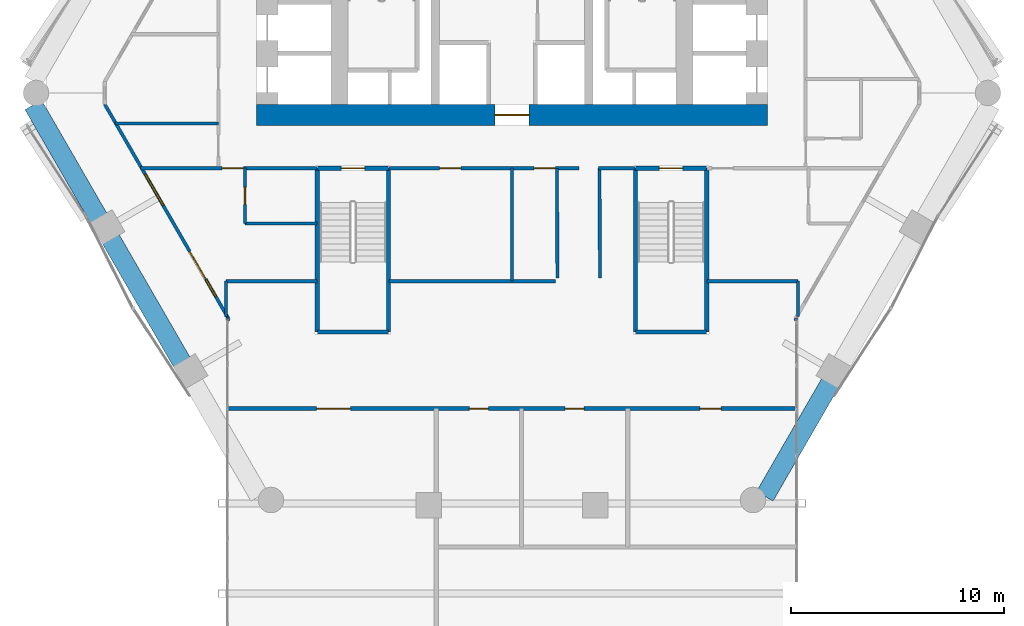
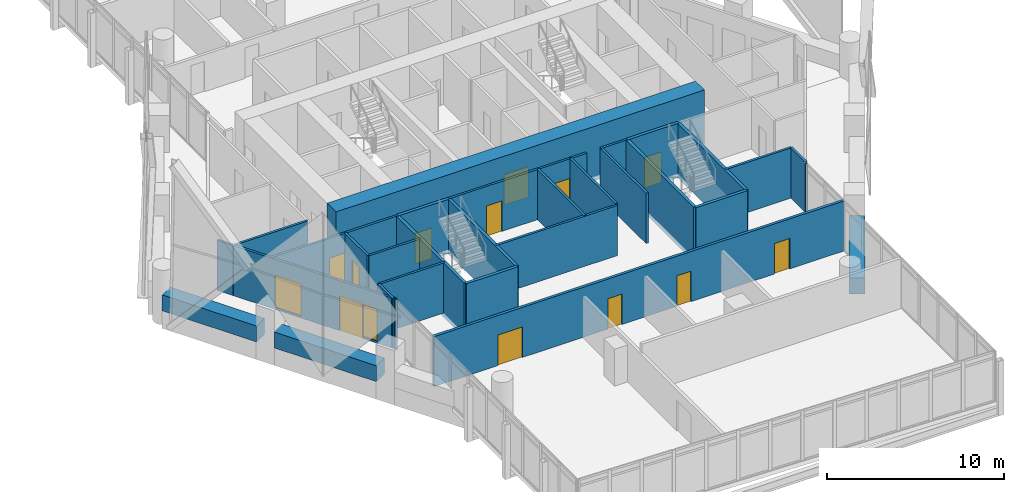
# One storey, part 29 of 38: 30 walls, 12 doors, 2 windows, 14 openings.
"""IFC4 building model written with IfcOpenShell, lengths in metres."""

from ifc_helpers import new_model, si_unit, direction, frame, frame_2d, origin, place, context, subcontext, project, spatial, rectangle, extrude, material, layer, layer_set, type_object, element, fill, save


model = new_model("IFC4")

# Units and contexts
model_context = context("Model", 3, precision=1e-05, world=origin(), true_north=direction((0.0, 1.0)))
body_context = subcontext(model_context, "Body", "Model", "MODEL_VIEW")
ifc_project = project(units=[si_unit("LENGTHUNIT", "METRE"), si_unit("AREAUNIT", "SQUARE_METRE"), si_unit("VOLUMEUNIT", "CUBIC_METRE"), si_unit("PLANEANGLEUNIT", "RADIAN"), si_unit("MASSUNIT", "GRAM", prefix="KILO")], contexts=[model_context])

# Site, building, storey
site_placement = place(None, origin())
site = spatial("IfcSite", under=ifc_project, at=site_placement, CompositionType="ELEMENT")
building_placement = place(site_placement, origin())
building = spatial("IfcBuilding", under=site, at=building_placement, Name="Ostrander Bayou Hotel Tower", CompositionType="ELEMENT")
storey_placement = place(building_placement, frame((0.0, 0.0, 96.75)))
storey = spatial("IfcBuildingStorey", under=building, at=storey_placement, Name="L24", CompositionType="ELEMENT", Elevation=96.75)

# Wall, opening, door
ifc_material_1 = material(Name="Concrete f'c 70 MPa", Category="concrete")
ifc_layer_1 = layer(ifc_material_1, 1.0)
ifc_layer_set_1 = layer_set([ifc_layer_1], Name="CW4 core wall 1000 mm f'c 70 MPa")
wall_type_1 = type_object("IfcWallType", Name="CW4 core wall 1000 mm f'c 70 MPa", PredefinedType="SHEAR", material=ifc_layer_set_1)
wall_1_placement = place(storey_placement, frame((-12.0, -1.199951171875, -0.300048828125), z_axis=(0.0, 0.0, 1.0), x_axis=(1.0, 0.0, 0.0)))
wall_1 = element("IfcWall", 1, at=wall_1_placement, inside=storey, type_object=wall_type_1, Name="CW4 L24 S", PredefinedType="SHEAR", context=body_context, shape_type="SweptSolid", body=[
    extrude(rectangle(XDim=24.0, YDim=1.0, at=frame_2d((12.0, 0.0))), origin(), (0.0, 0.0, 1.0), 3.75),
])
opening_1_placement = place(wall_1_placement, frame((11.199951171875, 0.0, 0.0)))
opening_1 = element("IfcOpeningElement", 2, at=opening_1_placement, cuts=wall_1, Name="Opening T23-001", PredefinedType="OPENING", context=body_context, shape_type="SweptSolid", body=[
    extrude(rectangle(XDim=1.60009765625, YDim=2.10009765625, at=frame_2d((0.800048828125, 1.050048828125))), frame((0.0, 0.5, 0.0), z_axis=(0.0, -1.0, 0.0), x_axis=(1.0, 0.0, 0.0)), (0.0, 0.0, 1.0), 1.0),
])
ifc_material_2 = material(Name="Timber door leaf", Category="wood")
door_type_1 = type_object("IfcDoorType", Name="D13 double door 1600 x 2100 mm, 1 hour", OperationType="SINGLE_SWING_LEFT", PredefinedType="DOOR", material=ifc_material_2)
door_1_placement = place(opening_1_placement, origin())
door_1 = element("IfcDoor", 3, at=door_1_placement, inside=storey, type_object=door_type_1, Name="dr:L24:001", OperationType="DOUBLE_DOOR_SINGLE_SWING", OverallHeight=2.10009765625, OverallWidth=1.60009765625, PredefinedType="DOOR", context=body_context, shape_type="SweptSolid", body=[
    extrude(rectangle(XDim=1.60009765625, YDim=2.10009765625, at=frame_2d((0.800048828125, 1.050048828125))), frame((0.0, 0.02490234375, 0.0), z_axis=(0.0, -1.0, 0.0), x_axis=(1.0, 0.0, 0.0)), (0.0, 0.0, 1.0), 0.050048828125),
])
fill(opening_1, door_1)

# Wall, openings, door, windows
ifc_material_3 = material(Name="Aluminium framed insulated wall", Category="aluminium")
ifc_layer_2 = layer(ifc_material_3, 0.14990234375)
ifc_layer_set_2 = layer_set([ifc_layer_2], Name="GW1 glass-line wall 150 mm")
wall_type_2 = type_object("IfcWallType", Name="GW1 glass-line wall 150 mm", PredefinedType="SOLIDWALL", material=ifc_layer_set_2)
wall_2_placement = place(storey_placement, frame((-19.141357421875, -0.6962890625, 0.0), z_axis=(0.0, 0.0, 1.0), x_axis=(0.500002662854, -0.86602386638, 0.0)))
wall_2 = element("IfcWall", 4, at=wall_2_placement, inside=storey, type_object=wall_type_2, Name="GW1 L24 SW 1", PredefinedType="SOLIDWALL", context=body_context, shape_type="SweptSolid", body=[
    extrude(rectangle(XDim=11.61474609375, YDim=0.14990234375, at=frame_2d((5.807373046875, 0.0))), origin(), (0.0, 0.0, 1.0), 3.449951171875),
])
opening_2_placement = place(wall_2_placement, frame((3.79248046875, 0.0, 0.14990234375)))
opening_2 = element("IfcOpeningElement", 5, at=opening_2_placement, cuts=wall_2, Name="Opening W8", PredefinedType="OPENING", context=body_context, shape_type="SweptSolid", body=[
    extrude(rectangle(XDim=1.699951171875, YDim=2.199951171875, at=frame_2d((0.85009765625, 1.10009765625))), frame((0.0, 0.074951171875, 0.0), z_axis=(0.0, -1.0, 0.0), x_axis=(1.0, 0.0, 0.0)), (0.0, 0.0, 1.0), 0.14990234375),
])
opening_3_placement = place(wall_2_placement, frame((9.530517578125, 0.0, 0.14990234375)))
opening_3 = element("IfcOpeningElement", 6, at=opening_3_placement, cuts=wall_2, Name="Opening W16", PredefinedType="OPENING", context=body_context, shape_type="SweptSolid", body=[
    extrude(rectangle(XDim=0.89990234375, YDim=2.199951171875, at=frame_2d((0.449951171875, 1.10009765625))), frame((0.0, 0.074951171875, 0.0), z_axis=(0.0, -1.0, 0.0), x_axis=(1.0, 0.0, 0.0)), (0.0, 0.0, 1.0), 0.14990234375),
])
opening_4_placement = place(wall_2_placement, frame((7.98046875, 0.0, 0.0)))
opening_4 = element("IfcOpeningElement", 7, at=opening_4_placement, cuts=wall_2, Name="Opening T23-800", PredefinedType="OPENING", context=body_context, shape_type="SweptSolid", body=[
    extrude(rectangle(XDim=1.5, YDim=2.39990234375, at=frame_2d((0.75, 1.199951171875))), frame((0.0, 0.074951171875, 0.0), z_axis=(0.0, -1.0, 0.0), x_axis=(1.0, 0.0, 0.0)), (0.0, 0.0, 1.0), 0.14990234375),
])
ifc_material_4 = material(Name="Aluminium and clear glass", Category="aluminium")
door_type_2 = type_object("IfcDoorType", Name="SD2 sliding glass door 1500 mm, zone 2", OperationType="SLIDING_TO_LEFT", PredefinedType="DOOR", material=ifc_material_4)
door_2_placement = place(opening_4_placement, origin())
door_2 = element("IfcDoor", 8, at=door_2_placement, inside=storey, type_object=door_type_2, Name="SD2 L24 SW 2", OperationType="SLIDING_TO_RIGHT", OverallHeight=2.39990234375, OverallWidth=1.5, PredefinedType="DOOR", context=body_context, shape_type="SweptSolid", body=[
    extrude(rectangle(XDim=1.5, YDim=2.39990234375, at=frame_2d((0.75, 1.199951171875))), frame((0.0, 0.02490234375, 0.0), z_axis=(0.0, -1.0, 0.0), x_axis=(1.0, 0.0, 0.0)), (0.0, 0.0, 1.0), 0.050048828125),
])
fill(opening_4, door_2)
ifc_material_5 = material(Name="Aluminium and clear glass", Category="aluminium")
window_type_1 = type_object("IfcWindowType", Name="W16 window 900 mm, zone 2", PartitioningType="SINGLE_PANEL", PredefinedType="WINDOW", material=ifc_material_5)
window_1_placement = place(opening_3_placement, origin())
window_1 = element("IfcWindow", 9, at=window_1_placement, inside=storey, type_object=window_type_1, Name="W16 L24 SW 2", OverallHeight=2.199951171875, OverallWidth=0.89990234375, PartitioningType="SINGLE_PANEL", PredefinedType="WINDOW", context=body_context, shape_type="SweptSolid", body=[
    extrude(rectangle(XDim=0.89990234375, YDim=2.199951171875, at=frame_2d((0.449951171875, 1.10009765625))), frame((0.0, 0.030029296875, 0.0), z_axis=(0.0, -1.0, 0.0), x_axis=(1.0, 0.0, 0.0)), (0.0, 0.0, 1.0), 0.06005859375),
])
fill(opening_3, window_1)
ifc_material_6 = material(Name="Aluminium and clear glass", Category="aluminium")
window_type_2 = type_object("IfcWindowType", Name="W8 fixed window 1700 mm, bar storeys, zone 2", PartitioningType="SINGLE_PANEL", PredefinedType="WINDOW", material=ifc_material_6)
window_2_placement = place(opening_2_placement, origin())
window_2 = element("IfcWindow", 10, at=window_2_placement, inside=storey, type_object=window_type_2, Name="W8 L24 SW 1", OverallHeight=2.199951171875, OverallWidth=1.699951171875, PartitioningType="SINGLE_PANEL", PredefinedType="WINDOW", context=body_context, shape_type="SweptSolid", body=[
    extrude(rectangle(XDim=1.699951171875, YDim=2.199951171875, at=frame_2d((0.85009765625, 1.10009765625))), frame((0.0, 0.030029296875, 0.0), z_axis=(0.0, -1.0, 0.0), x_axis=(1.0, 0.0, 0.0)), (0.0, 0.0, 1.0), 0.06005859375),
])
fill(opening_2, window_2)

# Walls
for number, where, z_axis, x_axis, name in (
    (11, (-13.333984375, -10.7548828125, 0.0), (0.0, 0.0, 1.0), (-0.337751931921, -0.941235163221, 0.0), "GW1 L24 bar joint 2"),
    (12, (13.333984375, -10.7548828125, 0.0), (0.0, 0.0, 1.0), (0.337751931921, -0.941235163221, 0.0), "GW1 L24 bar joint 3"),
):
    element("IfcWall", number, at=place(storey_placement, frame(where, z_axis=z_axis, x_axis=x_axis)), inside=storey, type_object=wall_type_2, Name=name, PredefinedType="SOLIDWALL", context=body_context, shape_type="SweptSolid", body=[
        extrude(rectangle(XDim=0.098388671875, YDim=0.14990234375, at=frame_2d((0.04931640625, 0.0))), origin(), (0.0, 0.0, 1.0), 3.449951171875),
    ])
ifc_material_7 = material(Name="Limestone masonry", Category="masonry")
ifc_layer_3 = layer(ifc_material_7, 0.89990234375)
ifc_layer_set_3 = layer_set([ifc_layer_3], Name="PA2 limestone parapet 900 mm")
wall_type_3 = type_object("IfcWallType", Name="PA2 limestone parapet 900 mm", PredefinedType="PARAPET", material=ifc_layer_set_3)
wall_3_placement = place(storey_placement, frame((-22.5009765625, -0.727294921875, 0.0), z_axis=(0.0, 0.0, 1.0), x_axis=(0.500006801911, -0.866021476663, 0.0)))
element("IfcWall", 13, at=wall_3_placement, inside=storey, type_object=wall_type_3, Name="PA2 L24 SW-1", PredefinedType="PARAPET", context=body_context, shape_type="SweptSolid", body=[
    extrude(rectangle(XDim=6.14404296875, YDim=0.89990234375, at=frame_2d((3.072021484375, 0.0))), origin(), (0.0, 0.0, 1.0), 1.10009765625),
])
wall_4_placement = place(storey_placement, frame((-18.85888671875, -7.035400390625, 0.0), z_axis=(0.0, 0.0, 1.0), x_axis=(0.499999023957, -0.866025967302, 0.0)))
element("IfcWall", 14, at=wall_4_placement, inside=storey, type_object=wall_type_3, Name="PA2 L24 SW-2", PredefinedType="PARAPET", context=body_context, shape_type="SweptSolid", body=[
    extrude(rectangle(XDim=6.67333984375, YDim=0.89990234375, at=frame_2d((3.336669921875, 0.0))), origin(), (0.0, 0.0, 1.0), 1.10009765625),
])
wall_5_placement = place(storey_placement, frame((11.88037109375, -19.122802734375, 0.0), z_axis=(0.0, 0.0, 1.0), x_axis=(0.499976998774, 0.866038683141, 0.0)))
element("IfcWall", 15, at=wall_5_placement, inside=storey, type_object=wall_type_3, Name="PA2 L24 SE-1", PredefinedType="PARAPET", context=body_context, shape_type="SweptSolid", body=[
    extrude(rectangle(XDim=6.143798828125, YDim=0.89990234375, at=frame_2d((3.07177734375, 0.0))), origin(), (0.0, 0.0, 1.0), 1.10009765625),
])

# Wall, openings, doors
ifc_material_8 = material(Name="Gypsum board partition", Category="finish")
ifc_layer_4 = layer(ifc_material_8, 0.175048828125)
ifc_layer_set_4 = layer_set([ifc_layer_4], Name="PT4 corridor wall 175 mm, 1 hour")
wall_type_4 = type_object("IfcWallType", Name="PT4 corridor wall 175 mm, 1 hour", PredefinedType="PARTITIONING", material=ifc_layer_set_4)
wall_6_placement = place(storey_placement, frame((-13.34814453125, -15.0, 0.0), z_axis=(0.0, 0.0, 1.0), x_axis=(1.0, 0.0, 0.0)))
wall_6 = element("IfcWall", 16, at=wall_6_placement, inside=storey, type_object=wall_type_4, Name="sw:L24:500", PredefinedType="PARTITIONING", context=body_context, shape_type="SweptSolid", body=[
    extrude(rectangle(XDim=26.6962890625, YDim=0.175048828125, at=frame_2d((13.34814453125, 0.0))), origin(), (0.0, 0.0, 1.0), 3.449951171875),
])
opening_5_placement = place(wall_6_placement, frame((11.34033203125, 0.0, 0.0)))
opening_5 = element("IfcOpeningElement", 17, at=opening_5_placement, cuts=wall_6, Name="Opening T23-1200", PredefinedType="OPENING", context=body_context, shape_type="SweptSolid", body=[
    extrude(rectangle(XDim=0.89990234375, YDim=2.10009765625, at=frame_2d((0.449951171875, 1.050048828125))), frame((0.0, 0.08740234375, 0.0), z_axis=(0.0, -1.0, 0.0), x_axis=(1.0, 0.0, 0.0)), (0.0, 0.0, 1.0), 0.175048828125),
])
opening_6_placement = place(wall_6_placement, frame((15.84033203125, 0.0, 0.0)))
opening_6 = element("IfcOpeningElement", 18, at=opening_6_placement, cuts=wall_6, Name="Opening T23-1201", PredefinedType="OPENING", context=body_context, shape_type="SweptSolid", body=[
    extrude(rectangle(XDim=0.89990234375, YDim=2.10009765625, at=frame_2d((0.449951171875, 1.050048828125))), frame((0.0, 0.08740234375, 0.0), z_axis=(0.0, -1.0, 0.0), x_axis=(1.0, 0.0, 0.0)), (0.0, 0.0, 1.0), 0.175048828125),
])
opening_7_placement = place(wall_6_placement, frame((22.17529296875, 0.0, 0.0)))
opening_7 = element("IfcOpeningElement", 19, at=opening_7_placement, cuts=wall_6, Name="Opening T23-1202", PredefinedType="OPENING", context=body_context, shape_type="SweptSolid", body=[
    extrude(rectangle(XDim=1.0, YDim=2.10009765625, at=frame_2d((0.5, 1.050048828125))), frame((0.0, 0.08740234375, 0.0), z_axis=(0.0, -1.0, 0.0), x_axis=(1.0, 0.0, 0.0)), (0.0, 0.0, 1.0), 0.175048828125),
])
opening_8_placement = place(wall_6_placement, frame((4.1630859375, 0.0, 0.0)))
opening_8 = element("IfcOpeningElement", 20, at=opening_8_placement, cuts=wall_6, Name="Opening T23-1203", PredefinedType="OPENING", context=body_context, shape_type="SweptSolid", body=[
    extrude(rectangle(XDim=1.60009765625, YDim=2.10009765625, at=frame_2d((0.800048828125, 1.050048828125))), frame((0.0, 0.08740234375, 0.0), z_axis=(0.0, -1.0, 0.0), x_axis=(1.0, 0.0, 0.0)), (0.0, 0.0, 1.0), 0.175048828125),
])
door_3_placement = place(opening_8_placement, origin())
door_3 = element("IfcDoor", 21, at=door_3_placement, inside=storey, type_object=door_type_1, Name="dr:L24:1203", OperationType="DOUBLE_DOOR_SINGLE_SWING", OverallHeight=2.10009765625, OverallWidth=1.60009765625, PredefinedType="DOOR", context=body_context, shape_type="SweptSolid", body=[
    extrude(rectangle(XDim=1.60009765625, YDim=2.10009765625, at=frame_2d((0.800048828125, 1.050048828125))), frame((0.0, 0.02490234375, 0.0), z_axis=(0.0, -1.0, 0.0), x_axis=(1.0, 0.0, 0.0)), (0.0, 0.0, 1.0), 0.050048828125),
])
fill(opening_8, door_3)
ifc_material_9 = material(Name="Timber door leaf", Category="wood")
door_type_3 = type_object("IfcDoorType", Name="D8 room door 900 x 2100 mm", OperationType="SINGLE_SWING_LEFT", PredefinedType="DOOR", material=ifc_material_9)
door_4_placement = place(opening_5_placement, origin())
door_4 = element("IfcDoor", 22, at=door_4_placement, inside=storey, type_object=door_type_3, Name="dr:L24:1200", OperationType="SINGLE_SWING_RIGHT", OverallHeight=2.10009765625, OverallWidth=0.89990234375, PredefinedType="DOOR", context=body_context, shape_type="SweptSolid", body=[
    extrude(rectangle(XDim=0.89990234375, YDim=2.10009765625, at=frame_2d((0.449951171875, 1.050048828125))), frame((0.0, 0.02490234375, 0.0), z_axis=(0.0, -1.0, 0.0), x_axis=(1.0, 0.0, 0.0)), (0.0, 0.0, 1.0), 0.050048828125),
])
fill(opening_5, door_4)
door_5_placement = place(opening_6_placement, origin())
door_5 = element("IfcDoor", 23, at=door_5_placement, inside=storey, type_object=door_type_3, Name="dr:L24:1201", OperationType="SINGLE_SWING_LEFT", OverallHeight=2.10009765625, OverallWidth=0.89990234375, PredefinedType="DOOR", context=body_context, shape_type="SweptSolid", body=[
    extrude(rectangle(XDim=0.89990234375, YDim=2.10009765625, at=frame_2d((0.449951171875, 1.050048828125))), frame((0.0, 0.02490234375, 0.0), z_axis=(0.0, -1.0, 0.0), x_axis=(1.0, 0.0, 0.0)), (0.0, 0.0, 1.0), 0.050048828125),
])
fill(opening_6, door_5)
ifc_material_10 = material(Name="Timber door leaf", Category="wood")
door_type_4 = type_object("IfcDoorType", Name="D9 service door 1000 x 2100 mm, 30 minute", OperationType="SINGLE_SWING_LEFT", PredefinedType="DOOR", material=ifc_material_10)
door_6_placement = place(opening_7_placement, origin())
door_6 = element("IfcDoor", 24, at=door_6_placement, inside=storey, type_object=door_type_4, Name="dr:L24:1202", OperationType="SINGLE_SWING_RIGHT", OverallHeight=2.10009765625, OverallWidth=1.0, PredefinedType="DOOR", context=body_context, shape_type="SweptSolid", body=[
    extrude(rectangle(XDim=1.0, YDim=2.10009765625, at=frame_2d((0.5, 1.050048828125))), frame((0.0, 0.02490234375, 0.0), z_axis=(0.0, -1.0, 0.0), x_axis=(1.0, 0.0, 0.0)), (0.0, 0.0, 1.0), 0.050048828125),
])
fill(opening_7, door_6)

# Walls
ifc_material_11 = material(Name="Gypsum board partition", Category="finish")
ifc_layer_5 = layer(ifc_material_11, 0.14990234375)
ifc_layer_set_5 = layer_set([ifc_layer_5], Name="PT8 service band wall 150 mm, 1 hour")
wall_type_5 = type_object("IfcWallType", Name="PT8 service band wall 150 mm, 1 hour", PredefinedType="PARTITIONING", material=ifc_layer_set_5)
wall_7_placement = place(storey_placement, frame((-13.43994140625, -9.010009765625, 0.0), z_axis=(0.0, 0.0, 1.0), x_axis=(1.0, 0.0, 0.0)))
element("IfcWall", 25, at=wall_7_placement, inside=storey, type_object=wall_type_5, Name="gw:L24:001", PredefinedType="PARTITIONING", context=body_context, shape_type="SweptSolid", body=[
    extrude(rectangle(XDim=4.280029296875, YDim=0.14990234375, at=frame_2d((2.14013671875, 0.0))), origin(), (0.0, 0.0, 1.0), 3.449951171875),
])
wall_8_placement = place(storey_placement, frame((-5.7900390625, -9.010009765625, 0.0), z_axis=(0.0, 0.0, 1.0), x_axis=(1.0, 0.0, 0.0)))
element("IfcWall", 26, at=wall_8_placement, inside=storey, type_object=wall_type_5, Name="gw:L24:002", PredefinedType="PARTITIONING", context=body_context, shape_type="SweptSolid", body=[
    extrude(rectangle(XDim=7.844970703125, YDim=0.14990234375, at=frame_2d((3.92236328125, 0.0))), origin(), (0.0, 0.0, 1.0), 3.449951171875),
])
wall_9_placement = place(storey_placement, frame((9.159912109375, -9.010009765625, 0.0), z_axis=(0.0, 0.0, 1.0), x_axis=(1.0, 0.0, 0.0)))
element("IfcWall", 27, at=wall_9_placement, inside=storey, type_object=wall_type_5, Name="gw:L24:003", PredefinedType="PARTITIONING", context=body_context, shape_type="SweptSolid", body=[
    extrude(rectangle(XDim=4.280029296875, YDim=0.14990234375, at=frame_2d((2.14013671875, 0.0))), origin(), (0.0, 0.0, 1.0), 3.449951171875),
])
wall_10_placement = place(storey_placement, frame((-12.550048828125, -6.300048828125, 0.0), z_axis=(0.0, 0.0, 1.0), x_axis=(1.0, 0.0, 0.0)))
element("IfcWall", 28, at=wall_10_placement, inside=storey, type_object=wall_type_5, Name="gw:L24:004", PredefinedType="PARTITIONING", context=body_context, shape_type="SweptSolid", body=[
    extrude(rectangle(XDim=3.39013671875, YDim=0.14990234375, at=frame_2d((1.695068359375, 0.0))), origin(), (0.0, 0.0, 1.0), 3.449951171875),
])

# Wall, opening, door
wall_11_placement = place(storey_placement, frame((-17.458984375, -3.699951171875, 0.0), z_axis=(0.0, 0.0, 1.0), x_axis=(1.0, 0.0, 0.0)))
wall_11 = element("IfcWall", 29, at=wall_11_placement, inside=storey, type_object=wall_type_5, Name="gw:L24:006", PredefinedType="PARTITIONING", context=body_context, shape_type="SweptSolid", body=[
    extrude(rectangle(XDim=8.299072265625, YDim=0.14990234375, at=frame_2d((4.1494140625, 0.0))), origin(), (0.0, 0.0, 1.0), 3.449951171875),
])
opening_9_placement = place(wall_11_placement, frame((3.833984375, 0.0, 0.0)))
opening_9 = element("IfcOpeningElement", 30, at=opening_9_placement, cuts=wall_11, Name="Opening T23-401", PredefinedType="OPENING", context=body_context, shape_type="SweptSolid", body=[
    extrude(rectangle(XDim=1.0, YDim=2.10009765625, at=frame_2d((0.5, 1.050048828125))), frame((0.0, 0.074951171875, 0.0), z_axis=(0.0, -1.0, 0.0), x_axis=(1.0, 0.0, 0.0)), (0.0, 0.0, 1.0), 0.14990234375),
])
ifc_material_12 = material(Name="Timber door leaf", Category="wood")
door_type_5 = type_object("IfcDoorType", Name="D1 guest room door 1000 x 2100 mm, 30 minute", OperationType="SINGLE_SWING_LEFT", PredefinedType="DOOR", material=ifc_material_12)
door_7_placement = place(opening_9_placement, origin())
door_7 = element("IfcDoor", 31, at=door_7_placement, inside=storey, type_object=door_type_5, Name="dr:L24:401", OperationType="SINGLE_SWING_LEFT", OverallHeight=2.10009765625, OverallWidth=1.0, PredefinedType="DOOR", context=body_context, shape_type="SweptSolid", body=[
    extrude(rectangle(XDim=1.0, YDim=2.10009765625, at=frame_2d((0.5, 1.050048828125))), frame((0.0, 0.02490234375, 0.0), z_axis=(0.0, -1.0, 0.0), x_axis=(1.0, 0.0, 0.0)), (0.0, 0.0, 1.0), 0.050048828125),
])
fill(opening_9, door_7)

# Wall, openings, doors
wall_12_placement = place(storey_placement, frame((-5.7900390625, -3.699951171875, 0.0), z_axis=(0.0, 0.0, 1.0), x_axis=(1.0, 0.0, 0.0)))
wall_12 = element("IfcWall", 32, at=wall_12_placement, inside=storey, type_object=wall_type_5, Name="gw:L24:007", PredefinedType="PARTITIONING", context=body_context, shape_type="SweptSolid", body=[
    extrude(rectangle(XDim=8.945068359375, YDim=0.14990234375, at=frame_2d((4.47265625, 0.0))), origin(), (0.0, 0.0, 1.0), 3.449951171875),
])
opening_10_placement = place(wall_12_placement, frame((2.389892578125, 0.0, 0.0)))
opening_10 = element("IfcOpeningElement", 33, at=opening_10_placement, cuts=wall_12, Name="Opening T23-400", PredefinedType="OPENING", context=body_context, shape_type="SweptSolid", body=[
    extrude(rectangle(XDim=1.0, YDim=2.10009765625, at=frame_2d((0.5, 1.050048828125))), frame((0.0, 0.074951171875, 0.0), z_axis=(0.0, -1.0, 0.0), x_axis=(1.0, 0.0, 0.0)), (0.0, 0.0, 1.0), 0.14990234375),
])
opening_11_placement = place(wall_12_placement, frame((6.826904296875, 0.0, 0.0)))
opening_11 = element("IfcOpeningElement", 34, at=opening_11_placement, cuts=wall_12, Name="Opening T23-403", PredefinedType="OPENING", context=body_context, shape_type="SweptSolid", body=[
    extrude(rectangle(XDim=1.0, YDim=2.10009765625, at=frame_2d((0.5, 1.050048828125))), frame((0.0, 0.074951171875, 0.0), z_axis=(0.0, -1.0, 0.0), x_axis=(1.0, 0.0, 0.0)), (0.0, 0.0, 1.0), 0.14990234375),
])
door_8_placement = place(opening_10_placement, origin())
door_8 = element("IfcDoor", 35, at=door_8_placement, inside=storey, type_object=door_type_4, Name="dr:L24:400", OperationType="SINGLE_SWING_RIGHT", OverallHeight=2.10009765625, OverallWidth=1.0, PredefinedType="DOOR", context=body_context, shape_type="SweptSolid", body=[
    extrude(rectangle(XDim=1.0, YDim=2.10009765625, at=frame_2d((0.5, 1.050048828125))), frame((0.0, 0.02490234375, 0.0), z_axis=(0.0, -1.0, 0.0), x_axis=(1.0, 0.0, 0.0)), (0.0, 0.0, 1.0), 0.050048828125),
])
fill(opening_10, door_8)
door_9_placement = place(opening_11_placement, origin())
door_9 = element("IfcDoor", 36, at=door_9_placement, inside=storey, type_object=door_type_4, Name="dr:L24:403", OperationType="SINGLE_SWING_LEFT", OverallHeight=2.10009765625, OverallWidth=1.0, PredefinedType="DOOR", context=body_context, shape_type="SweptSolid", body=[
    extrude(rectangle(XDim=1.0, YDim=2.10009765625, at=frame_2d((0.5, 1.050048828125))), frame((0.0, 0.02490234375, 0.0), z_axis=(0.0, -1.0, 0.0), x_axis=(1.0, 0.0, 0.0)), (0.0, 0.0, 1.0), 0.050048828125),
])
fill(opening_11, door_9)

# Walls
wall_13_placement = place(storey_placement, frame((4.074951171875, -3.699951171875, 0.0), z_axis=(0.0, 0.0, 1.0), x_axis=(1.0, 0.0, 0.0)))
element("IfcWall", 37, at=wall_13_placement, inside=storey, type_object=wall_type_5, Name="gw:L24:008", PredefinedType="PARTITIONING", context=body_context, shape_type="SweptSolid", body=[
    extrude(rectangle(XDim=1.715087890625, YDim=0.14990234375, at=frame_2d((0.857421875, 0.0))), origin(), (0.0, 0.0, 1.0), 3.449951171875),
])
wall_14_placement = place(storey_placement, frame((-18.672119140625, -1.60009765625, 0.0), z_axis=(0.0, 0.0, 1.0), x_axis=(1.0, 0.0, 0.0)))
element("IfcWall", 38, at=wall_14_placement, inside=storey, type_object=wall_type_5, Name="gw:L24:011", PredefinedType="PARTITIONING", context=body_context, shape_type="SweptSolid", body=[
    extrude(rectangle(XDim=4.8720703125, YDim=0.14990234375, at=frame_2d((2.43603515625, 0.0))), origin(), (0.0, 0.0, 1.0), 3.449951171875),
])
wall_15_placement = place(storey_placement, frame((13.43994140625, -10.660888671875, 0.0), z_axis=(0.0, 0.0, 1.0), x_axis=(0.0, 1.0, 0.0)))
element("IfcWall", 39, at=wall_15_placement, inside=storey, type_object=wall_type_5, Name="gw:L24:019", PredefinedType="PARTITIONING", context=body_context, shape_type="SweptSolid", body=[
    extrude(rectangle(XDim=1.65087890625, YDim=0.14990234375, at=frame_2d((0.825439453125, 0.0))), origin(), (0.0, 0.0, 1.0), 3.449951171875),
])
wall_16_placement = place(storey_placement, frame((0.0, -9.010009765625, 0.0), z_axis=(0.0, 0.0, 1.0), x_axis=(0.0, 1.0, 0.0)))
element("IfcWall", 40, at=wall_16_placement, inside=storey, type_object=wall_type_5, Name="gw:L24:021", PredefinedType="PARTITIONING", context=body_context, shape_type="SweptSolid", body=[
    extrude(rectangle(XDim=5.31005859375, YDim=0.14990234375, at=frame_2d((2.655029296875, 0.0))), origin(), (0.0, 0.0, 1.0), 3.449951171875),
])

# Wall, opening, door
wall_17_placement = place(storey_placement, frame((-12.550048828125, -6.300048828125, 0.0), z_axis=(0.0, 0.0, 1.0), x_axis=(0.0, 1.0, 0.0)))
wall_17 = element("IfcWall", 41, at=wall_17_placement, inside=storey, type_object=wall_type_5, Name="gw:L24:022", PredefinedType="PARTITIONING", context=body_context, shape_type="SweptSolid", body=[
    extrude(rectangle(XDim=2.60009765625, YDim=0.14990234375, at=frame_2d((1.300048828125, 0.0))), origin(), (0.0, 0.0, 1.0), 3.449951171875),
])
opening_12_placement = place(wall_17_placement, frame((0.89990234375, 0.0, 0.0)))
opening_12 = element("IfcOpeningElement", 42, at=opening_12_placement, cuts=wall_17, Name="Opening T23-402", PredefinedType="OPENING", context=body_context, shape_type="SweptSolid", body=[
    extrude(rectangle(XDim=0.800048828125, YDim=2.10009765625, at=frame_2d((0.39990234375, 1.050048828125))), frame((0.0, 0.074951171875, 0.0), z_axis=(0.0, -1.0, 0.0), x_axis=(1.0, 0.0, 0.0)), (0.0, 0.0, 1.0), 0.14990234375),
])
ifc_material_13 = material(Name="Timber door leaf", Category="wood")
door_type_6 = type_object("IfcDoorType", Name="D2 bathroom door 800 x 2100 mm", OperationType="SINGLE_SWING_LEFT", PredefinedType="DOOR", material=ifc_material_13)
door_10_placement = place(opening_12_placement, origin())
door_10 = element("IfcDoor", 43, at=door_10_placement, inside=storey, type_object=door_type_6, Name="dr:L24:402", OperationType="SINGLE_SWING_RIGHT", OverallHeight=2.10009765625, OverallWidth=0.800048828125, PredefinedType="DOOR", context=body_context, shape_type="SweptSolid", body=[
    extrude(rectangle(XDim=0.800048828125, YDim=2.10009765625, at=frame_2d((0.39990234375, 1.050048828125))), frame((0.0, 0.02490234375, 0.0), z_axis=(0.0, -1.0, 0.0), x_axis=(1.0, 0.0, 0.0)), (0.0, 0.0, 1.0), 0.050048828125),
])
fill(opening_12, door_10)

# Walls
wall_18_placement = place(storey_placement, frame((-13.43994140625, -10.660888671875, 0.0), z_axis=(0.0, 0.0, 1.0), x_axis=(0.0, 1.0, 0.0)))
element("IfcWall", 44, at=wall_18_placement, inside=storey, type_object=wall_type_5, Name="gw:L24:023", PredefinedType="PARTITIONING", context=body_context, shape_type="SweptSolid", body=[
    extrude(rectangle(XDim=1.65087890625, YDim=0.14990234375, at=frame_2d((0.825439453125, 0.0))), origin(), (0.0, 0.0, 1.0), 3.449951171875),
])
wall_19_placement = place(storey_placement, frame((4.134033203125, -8.8701171875, 0.0), z_axis=(0.0, 0.0, 1.0), x_axis=(-0.003683216269, 0.999993216936, 0.0)))
element("IfcWall", 45, at=wall_19_placement, inside=storey, type_object=wall_type_5, Name="gw:L24:026", PredefinedType="PARTITIONING", context=body_context, shape_type="SweptSolid", body=[
    extrude(rectangle(XDim=5.170166015625, YDim=0.14990234375, at=frame_2d((2.5849609375, 0.0))), origin(), (0.0, 0.0, 1.0), 3.449951171875),
])
wall_20_placement = place(storey_placement, frame((2.134033203125, -8.8701171875, 0.0), z_axis=(0.0, 0.0, 1.0), x_axis=(-0.003686872276, 0.999993203463, 0.0)))
element("IfcWall", 46, at=wall_20_placement, inside=storey, type_object=wall_type_5, Name="gw:L24:027", PredefinedType="PARTITIONING", context=body_context, shape_type="SweptSolid", body=[
    extrude(rectangle(XDim=5.1650390625, YDim=0.14990234375, at=frame_2d((2.58251953125, 0.0))), origin(), (0.0, 0.0, 1.0), 3.449951171875),
])

# Wall, opening, door
ifc_material_14 = material(Name="Concrete f'c 45 MPa", Category="concrete")
ifc_layer_6 = layer(ifc_material_14, 0.199951171875)
ifc_layer_set_6 = layer_set([ifc_layer_6], Name="SW5 stair enclosure wall 200 mm f'c 45 MPa")
wall_type_6 = type_object("IfcWallType", Name="SW5 stair enclosure wall 200 mm f'c 45 MPa", PredefinedType="SOLIDWALL", material=ifc_layer_set_6)
wall_21_placement = place(storey_placement, frame((5.800048828125, -3.699951171875, -0.300048828125), z_axis=(0.0, 0.0, 1.0), x_axis=(1.0, 0.0, 0.0)))
wall_21 = element("IfcWall", 47, at=wall_21_placement, inside=storey, type_object=wall_type_6, Name="cs:L24:015", PredefinedType="SOLIDWALL", context=body_context, shape_type="SweptSolid", body=[
    extrude(rectangle(XDim=3.349853515625, YDim=0.199951171875, at=frame_2d((1.6748046875, 0.0))), origin(), (0.0, 0.0, 1.0), 3.75),
])
opening_13_placement = place(wall_21_placement, frame((1.125, 0.0, 0.0)))
opening_13 = element("IfcOpeningElement", 48, at=opening_13_placement, cuts=wall_21, Name="Opening T23-007", PredefinedType="OPENING", context=body_context, shape_type="SweptSolid", body=[
    extrude(rectangle(XDim=1.10009765625, YDim=2.10009765625, at=frame_2d((0.550048828125, 1.050048828125))), frame((0.0, 0.10009765625, 0.0), z_axis=(0.0, -1.0, 0.0), x_axis=(1.0, 0.0, 0.0)), (0.0, 0.0, 1.0), 0.199951171875),
])
ifc_material_15 = material(Name="Timber door leaf", Category="wood")
door_type_7 = type_object("IfcDoorType", Name="D5 stair door 1100 x 2100 mm, 90 minute", OperationType="SINGLE_SWING_LEFT", PredefinedType="DOOR", material=ifc_material_15)
door_11_placement = place(opening_13_placement, origin())
door_11 = element("IfcDoor", 49, at=door_11_placement, inside=storey, type_object=door_type_7, Name="dr:L24:007", OperationType="SINGLE_SWING_LEFT", OverallHeight=2.10009765625, OverallWidth=1.10009765625, PredefinedType="DOOR", context=body_context, shape_type="SweptSolid", body=[
    extrude(rectangle(XDim=1.10009765625, YDim=2.10009765625, at=frame_2d((0.550048828125, 1.050048828125))), frame((0.0, 0.02490234375, 0.0), z_axis=(0.0, -1.0, 0.0), x_axis=(1.0, 0.0, 0.0)), (0.0, 0.0, 1.0), 0.050048828125),
])
fill(opening_13, door_11)

# Walls
for number, where, z_axis, x_axis, name in (
    (50, (5.800048828125, -3.699951171875, -0.300048828125), (0.0, 0.0, 1.0), (0.0, -1.0, 0.0), "cs:L24:016"),
    (51, (9.14990234375, -3.699951171875, -0.300048828125), (0.0, 0.0, 1.0), (0.0, -1.0, 0.0), "cs:L24:017"),
):
    element("IfcWall", number, at=place(storey_placement, frame(where, z_axis=z_axis, x_axis=x_axis)), inside=storey, type_object=wall_type_6, Name=name, PredefinedType="SOLIDWALL", context=body_context, shape_type="SweptSolid", body=[
        extrude(rectangle(XDim=7.699951171875, YDim=0.199951171875, at=frame_2d((3.85009765625, 0.0))), origin(), (0.0, 0.0, 1.0), 3.75),
    ])
wall_22_placement = place(storey_placement, frame((5.800048828125, -11.39990234375, -0.300048828125), z_axis=(0.0, 0.0, 1.0), x_axis=(1.0, 0.0, 0.0)))
element("IfcWall", 52, at=wall_22_placement, inside=storey, type_object=wall_type_6, Name="cs:L24:018", PredefinedType="SOLIDWALL", context=body_context, shape_type="SweptSolid", body=[
    extrude(rectangle(XDim=3.349853515625, YDim=0.199951171875, at=frame_2d((1.6748046875, 0.0))), origin(), (0.0, 0.0, 1.0), 3.75),
])

# Wall, opening, door
wall_23_placement = place(storey_placement, frame((-9.14990234375, -3.699951171875, -0.300048828125), z_axis=(0.0, 0.0, 1.0), x_axis=(1.0, 0.0, 0.0)))
wall_23 = element("IfcWall", 53, at=wall_23_placement, inside=storey, type_object=wall_type_6, Name="cs:L24:019", PredefinedType="SOLIDWALL", context=body_context, shape_type="SweptSolid", body=[
    extrude(rectangle(XDim=3.349853515625, YDim=0.199951171875, at=frame_2d((1.6748046875, 0.0))), origin(), (0.0, 0.0, 1.0), 3.75),
])
opening_14_placement = place(wall_23_placement, frame((1.125, 0.0, 0.0)))
opening_14 = element("IfcOpeningElement", 54, at=opening_14_placement, cuts=wall_23, Name="Opening T23-008", PredefinedType="OPENING", context=body_context, shape_type="SweptSolid", body=[
    extrude(rectangle(XDim=1.10009765625, YDim=2.10009765625, at=frame_2d((0.550048828125, 1.050048828125))), frame((0.0, 0.10009765625, 0.0), z_axis=(0.0, -1.0, 0.0), x_axis=(1.0, 0.0, 0.0)), (0.0, 0.0, 1.0), 0.199951171875),
])
door_12_placement = place(opening_14_placement, origin())
door_12 = element("IfcDoor", 55, at=door_12_placement, inside=storey, type_object=door_type_7, Name="dr:L24:008", OperationType="SINGLE_SWING_LEFT", OverallHeight=2.10009765625, OverallWidth=1.10009765625, PredefinedType="DOOR", context=body_context, shape_type="SweptSolid", body=[
    extrude(rectangle(XDim=1.10009765625, YDim=2.10009765625, at=frame_2d((0.550048828125, 1.050048828125))), frame((0.0, 0.02490234375, 0.0), z_axis=(0.0, -1.0, 0.0), x_axis=(1.0, 0.0, 0.0)), (0.0, 0.0, 1.0), 0.050048828125),
])
fill(opening_14, door_12)

# Walls
for number, where, z_axis, x_axis, name in (
    (56, (-9.14990234375, -3.699951171875, -0.300048828125), (0.0, 0.0, 1.0), (0.0, -1.0, 0.0), "cs:L24:020"),
    (57, (-5.800048828125, -3.699951171875, -0.300048828125), (0.0, 0.0, 1.0), (0.0, -1.0, 0.0), "cs:L24:021"),
):
    element("IfcWall", number, at=place(storey_placement, frame(where, z_axis=z_axis, x_axis=x_axis)), inside=storey, type_object=wall_type_6, Name=name, PredefinedType="SOLIDWALL", context=body_context, shape_type="SweptSolid", body=[
        extrude(rectangle(XDim=7.699951171875, YDim=0.199951171875, at=frame_2d((3.85009765625, 0.0))), origin(), (0.0, 0.0, 1.0), 3.75),
    ])
wall_24_placement = place(storey_placement, frame((-9.14990234375, -11.39990234375, -0.300048828125), z_axis=(0.0, 0.0, 1.0), x_axis=(1.0, 0.0, 0.0)))
element("IfcWall", 58, at=wall_24_placement, inside=storey, type_object=wall_type_6, Name="cs:L24:022", PredefinedType="SOLIDWALL", context=body_context, shape_type="SweptSolid", body=[
    extrude(rectangle(XDim=3.349853515625, YDim=0.199951171875, at=frame_2d((1.6748046875, 0.0))), origin(), (0.0, 0.0, 1.0), 3.75),
])

save(model, "model.ifc")
